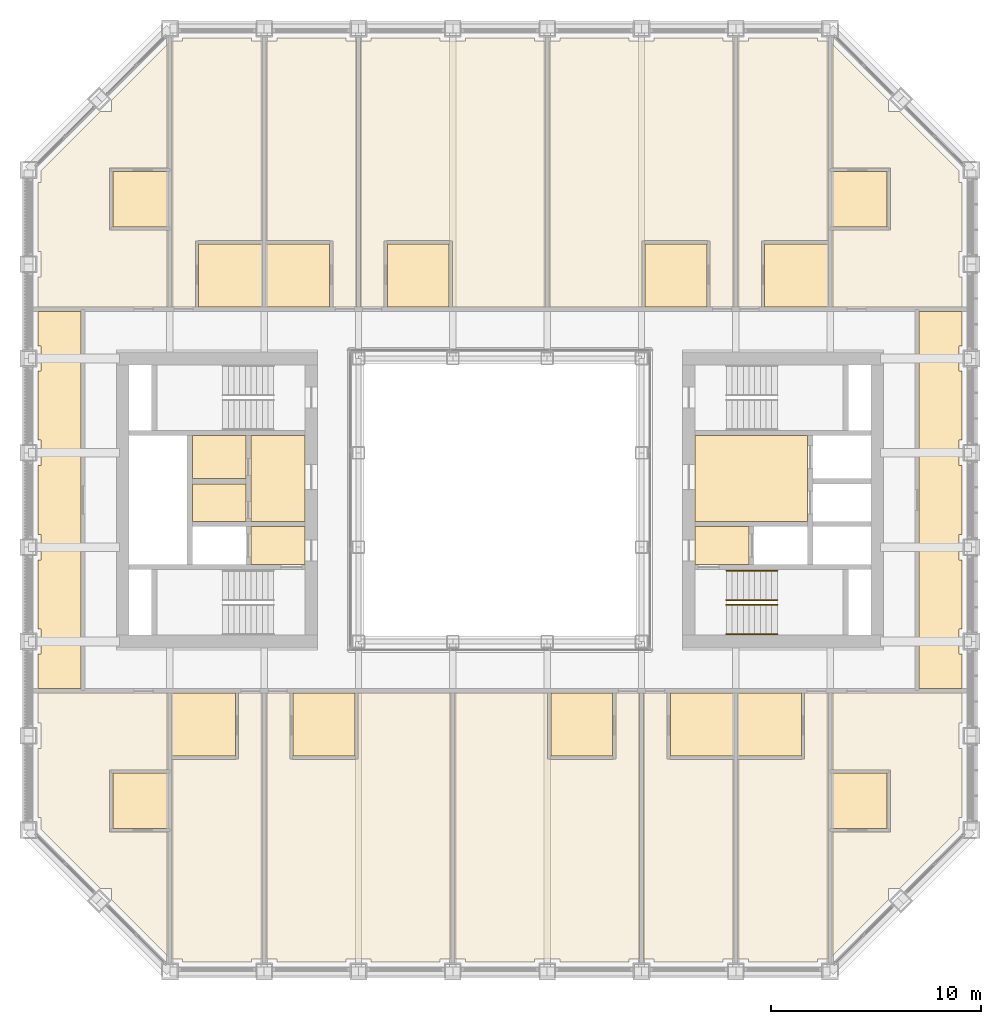
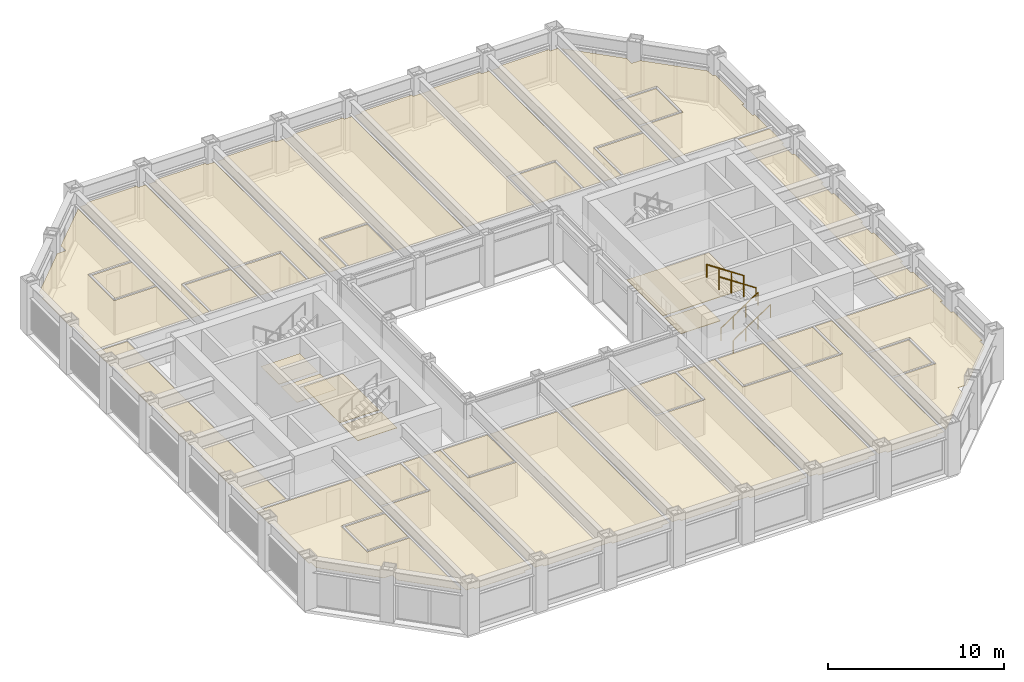
# One storey, part 16 of 17: 4 coverings, 4 railings.
"""IFC4 building model written with IfcOpenShell, lengths in metres."""

import ifcopenshell
import ifcopenshell.guid

model = None  # the IFC model being written
_history = None  # IfcOwnerHistory: only IFC2X3 demands one
_inside = {}  # id of a spatial element -> (the spatial element, [elements in it])
_under = {}  # id of a project, library or spatial element -> (it, [spatial elements below it])
_declared = {}  # id of a project -> (the project, [libraries it declares])
_typed = {}  # id of a type object -> (the type object, [elements of that type])
_made_of = {}  # id of a material, layer set ... -> (it, [elements and type objects made of it])


def new_model(schema):
    """Start an empty IFC model of exactly this schema.

    Asked for "IFC4X3", IfcOpenShell would pick the latest addendum, in which some entities
    have other attributes; the version numbers below select the first issue.
    IFC2X3 requires an IfcOwnerHistory on every rooted entity: one is made here for all.
    """
    global model, _history
    if schema == "IFC4X3":
        model = ifcopenshell.file(schema_version=(4, 3, 0, 0))
    else:
        model = ifcopenshell.file(schema=schema)
    _inside.clear()
    _under.clear()
    _declared.clear()
    _typed.clear()
    _made_of.clear()
    _history = None
    if model.schema == "IFC2X3":
        org = make("IfcOrganization", Name="unknown")
        user = make(
            "IfcPersonAndOrganization",
            ThePerson=make("IfcPerson", FamilyName="unknown"),
            TheOrganization=org,
        )
        app = make(
            "IfcApplication",
            ApplicationDeveloper=org,
            Version="unknown",
            ApplicationFullName="unknown",
            ApplicationIdentifier="unknown",
        )
        _history = make(
            "IfcOwnerHistory",
            OwningUser=user,
            OwningApplication=app,
            ChangeAction="ADDED",
            CreationDate=0,
        )
    return model


def make(cls, **values):
    """One entity of the class cls with the attributes given. An attribute that is None is left unset."""
    return model.create_entity(
        cls, **{name: value for name, value in values.items() if value is not None}
    )


def rooted(cls, **values):
    """An entity with a GlobalId (a new one), such as an element, a storey or a relation."""
    return make(cls, GlobalId=ifcopenshell.guid.new(), OwnerHistory=_history, **values)


def si_unit(unit_type, name, prefix=None):
    """IfcSIUnit, for example si_unit("LENGTHUNIT", "METRE", prefix="MILLI")."""
    return make("IfcSIUnit", UnitType=unit_type, Prefix=prefix, Name=name)


def assignment(units):
    """IfcUnitAssignment: the units of a project."""
    return None if units is None else make("IfcUnitAssignment", Units=units)


def point(xyz):
    """IfcCartesianPoint."""
    return None if xyz is None else make("IfcCartesianPoint", Coordinates=xyz)


def direction(xyz):
    """IfcDirection."""
    return None if xyz is None else make("IfcDirection", DirectionRatios=xyz)


def frame(location, z_axis=None, x_axis=None):
    """IfcAxis2Placement3D, a coordinate frame: its origin and axes. An axis left out is left unset."""
    return make(
        "IfcAxis2Placement3D",
        Location=point(location),
        Axis=direction(z_axis),
        RefDirection=direction(x_axis),
    )


def frame_2d(location, x_axis=None):
    """IfcAxis2Placement2D, a coordinate frame in the plane: its origin and x axis."""
    return make(
        "IfcAxis2Placement2D", Location=point(location), RefDirection=direction(x_axis)
    )


def origin():
    """The frame at (0, 0, 0) with its axes left unset."""
    return frame((0.0, 0.0, 0.0))


def origin_2d():
    """The frame at (0, 0) in the plane with its x axis left unset."""
    return frame_2d((0.0, 0.0))


def place(relative_to, where):
    """IfcLocalPlacement: puts the frame where relative to a parent placement (None: the world)."""
    return make(
        "IfcLocalPlacement", PlacementRelTo=relative_to, RelativePlacement=where
    )


def context(
    kind, dimensions, precision=None, world=None, true_north=None, identifier=None
):
    """IfcGeometricRepresentationContext, for example the 3D "Model" context."""
    return make(
        "IfcGeometricRepresentationContext",
        ContextIdentifier=identifier,
        ContextType=kind,
        CoordinateSpaceDimension=dimensions,
        Precision=precision,
        WorldCoordinateSystem=world,
        TrueNorth=true_north,
    )


def subcontext(parent, identifier, kind, view, scale=None):
    """IfcGeometricRepresentationSubContext, for example "Body" below "Model"."""
    return make(
        "IfcGeometricRepresentationSubContext",
        ContextIdentifier=identifier,
        ContextType=kind,
        ParentContext=parent,
        TargetScale=scale,
        TargetView=view,
    )


def project(units=None, contexts=None):
    """IfcProject with its units and contexts."""
    return rooted(
        "IfcProject",
        Name="project",
        RepresentationContexts=contexts,
        UnitsInContext=assignment(units),
    )


def spatial(cls, under=None, at=None, **own):
    """A site, building, storey or space (cls), placed at a placement, below another one or the project."""
    s = rooted(cls, ObjectPlacement=at, **own)
    if under is not None:
        _under.setdefault(under.id(), (under, []))[1].append(s)
    return s


def point_list(points):
    """IfcCartesianPointList2D or 3D."""
    cls = (
        "IfcCartesianPointList2D" if len(points[0]) == 2 else "IfcCartesianPointList3D"
    )
    return make(cls, CoordList=points)


def line(*indices):
    """IfcLineIndex: a straight run through numbered points of an indexed curve."""
    return model.create_entity("IfcLineIndex", indices)


def indexed_curve(points, segments=None, self_intersect=None):
    """IfcIndexedPolyCurve: lines and arcs through numbered points (the first is 1)."""
    return make(
        "IfcIndexedPolyCurve",
        Points=point_list(points),
        Segments=segments,
        SelfIntersect=self_intersect,
    )


def profile(cls, at=None, kind="AREA", **sizes):
    """A parametric profile (cls). Its sizes go by their IFC names, for example OverallWidth=200.0."""
    return make(cls, ProfileType=kind, Position=at, **sizes)


def circle(**sizes):
    """IfcCircleProfileDef."""
    return profile("IfcCircleProfileDef", **sizes)


def outline(outer, holes=None, kind="AREA"):
    """IfcArbitraryClosedProfileDef: a profile drawn as a closed curve; with holes, ...WithVoids."""
    if holes is None:
        return make("IfcArbitraryClosedProfileDef", ProfileType=kind, OuterCurve=outer)
    return make(
        "IfcArbitraryProfileDefWithVoids",
        ProfileType=kind,
        OuterCurve=outer,
        InnerCurves=holes,
    )


def extrude(swept, where, along, depth):
    """IfcExtrudedAreaSolid: the profile swept, set in the frame where, extruded along a direction by depth."""
    return make(
        "IfcExtrudedAreaSolid",
        SweptArea=swept,
        Position=where,
        ExtrudedDirection=direction(along),
        Depth=depth,
    )


def shape(context_of_items, identifier, shape_type, items):
    """IfcShapeRepresentation: the items that make up one representation, for example the "Body"."""
    return make(
        "IfcShapeRepresentation",
        ContextOfItems=context_of_items,
        RepresentationIdentifier=identifier,
        RepresentationType=shape_type,
        Items=items,
    )


def material(Name=None, Category=None):
    """IfcMaterial."""
    return make("IfcMaterial", Name=Name, Category=Category)


def layer(
    of_material, thickness, ventilated=None, Name=None, Category=None, Priority=None
):
    """IfcMaterialLayer: one layer of a wall or slab, of a material (None: an air gap)."""
    return make(
        "IfcMaterialLayer",
        Material=of_material,
        LayerThickness=thickness,
        IsVentilated=ventilated,
        Name=Name,
        Category=Category,
        Priority=Priority,
    )


def layer_set(layers, Name=None):
    """IfcMaterialLayerSet."""
    return make("IfcMaterialLayerSet", MaterialLayers=layers, LayerSetName=Name)


def made_of(thing, what):
    """Note that an element or type object is made of a material, layer set ...; save() writes the relation."""
    if what is not None:
        _made_of.setdefault(what.id(), (what, []))[1].append(thing)
    return thing


def type_object(cls, material=None, **own):
    """A type object (cls), such as IfcWallType, which elements share."""
    return made_of(rooted(cls, **own), material)


def element(
    cls,
    number,
    at=None,
    inside=None,
    cuts=None,
    type_object=None,
    material=None,
    context=None,
    identifier="Body",
    shape_type=None,
    held_by="IfcProductDefinitionShape",
    body=None,
    shapes=None,
    **own,
):
    """One element of the class cls, such as IfcWall. Its Tag is "e" and its number.

    at: its placement. inside: the storey or other place that contains it. cuts: it is an
    opening in that element (IfcRelVoidsElement). A single representation is given by context,
    identifier, shape_type and body (its items); several are given by shapes. held_by: the class
    of the entity that holds the representations. save() writes the other relations.
    """
    e = rooted(cls, Tag="e%d" % number, ObjectPlacement=at, **own)
    if body is not None:
        shapes = [shape(context, identifier, shape_type, body)]
    if shapes is not None:
        e.Representation = make(held_by, Representations=shapes)
    if inside is not None:
        _inside.setdefault(inside.id(), (inside, []))[1].append(e)
    if cuts is not None:
        rooted(
            "IfcRelVoidsElement", RelatingBuildingElement=cuts, RelatedOpeningElement=e
        )
    if type_object is not None:
        _typed.setdefault(type_object.id(), (type_object, []))[1].append(e)
    return made_of(e, material)


def aggregate(whole, parts):
    """IfcRelAggregates: a whole, such as a stair, and the parts it consists of."""
    return rooted("IfcRelAggregates", RelatingObject=whole, RelatedObjects=parts)


def save(model, path):
    """Write the relations noted so far, then the file.

    IfcRelAggregates (storeys below a building ...), IfcRelContainedInSpatialStructure (elements
    in a storey), IfcRelDefinesByType, IfcRelAssociatesMaterial and IfcRelDeclares: one each for
    every whole, place, type object, material and project.
    """
    for whole, parts in _under.values():
        aggregate(whole, parts)
    for where, things in _inside.values():
        rooted(
            "IfcRelContainedInSpatialStructure",
            RelatedElements=things,
            RelatingStructure=where,
        )
    for kind, things in _typed.values():
        rooted("IfcRelDefinesByType", RelatedObjects=things, RelatingType=kind)
    for what, things in _made_of.values():
        rooted("IfcRelAssociatesMaterial", RelatedObjects=things, RelatingMaterial=what)
    for by, libraries in _declared.values():
        rooted("IfcRelDeclares", RelatingContext=by, RelatedDefinitions=libraries)
    model.write(path)


model = new_model("IFC4")

# Units and contexts
model_context = context("Model", 3, precision=1e-05, world=origin(), true_north=direction((0.0, 1.0)))
body_context = subcontext(model_context, "Body", "Model", "MODEL_VIEW")
ifc_project = project(units=[si_unit("LENGTHUNIT", "METRE"), si_unit("AREAUNIT", "SQUARE_METRE"), si_unit("VOLUMEUNIT", "CUBIC_METRE"), si_unit("PLANEANGLEUNIT", "RADIAN"), si_unit("MASSUNIT", "GRAM", prefix="KILO")], contexts=[model_context])

# Site, building, storey
site_placement = place(None, origin())
site = spatial("IfcSite", under=ifc_project, at=site_placement, CompositionType="ELEMENT")
building_placement = place(site_placement, origin())
building = spatial("IfcBuilding", under=site, at=building_placement, Name="Msasa Ring Tower", CompositionType="ELEMENT")
storey_placement = place(building_placement, frame((0.0, 0.0, 132.800048828125)))
storey = spatial("IfcBuildingStorey", under=building, at=storey_placement, Name="L34", CompositionType="ELEMENT", Elevation=132.800048828125)

# Coverings
ifc_material_1 = material(Name="Gypsum plasterboard on a steel suspension grid", Category="steel")
ifc_layer_1 = layer(ifc_material_1, 0.014892578125)
ifc_layer_set_1 = layer_set([ifc_layer_1], Name="C1 SUSPENDED PLASTERBOARD CEILING 15")
covering_type_1 = type_object("IfcCoveringType", Name="C1 SUSPENDED PLASTERBOARD CEILING 15", PredefinedType="CEILING", material=ifc_layer_set_1)
covering_1_placement = place(storey_placement, frame((0.0, 0.0, 2.407958984375)))
element("IfcCovering", 1, at=covering_1_placement, inside=storey, type_object=covering_type_1, Name="Suspended Plasterboard Ceiling 15 L34", PredefinedType="CEILING", context=body_context, shape_type="SweptSolid", body=[
    extrude(outline(indexed_curve([(-15.8505859375, -21.762451171875), (-18.5244140625, -19.08837890625), (-18.5244140625, -18.5244140625), (-19.08837890625, -18.5244140625), (-21.8994140625, -15.71337890625), (-21.8994140625, -15.1494140625), (-22.049560546875, -15.1494140625), (-22.049560546875, -11.8505859375), (-21.8994140625, -11.8505859375), (-21.8994140625, -10.6494140625), (-22.049560546875, -10.6494140625), (-22.049560546875, -9.200439453125), (-15.8505859375, -9.200439453125), (-15.8505859375, -12.869384765625), (-18.630615234375, -12.869384765625), (-18.630615234375, -15.83056640625), (-15.8505859375, -15.83056640625)], segments=[line(1, 2, 3, 4, 5, 6, 7, 8, 9, 10, 11, 12, 13, 14, 15, 16, 17, 1)], self_intersect=False)), origin(), (0.0, 0.0, 1.0), 0.014892578125),
    extrude(outline(indexed_curve([(-18.630615234375, 12.869384765625), (-15.8505859375, 12.869384765625), (-15.8505859375, 9.200439453125), (-22.049560546875, 9.200439453125), (-22.049560546875, 10.6494140625), (-21.8994140625, 10.6494140625), (-21.8994140625, 11.8505859375), (-22.049560546875, 11.8505859375), (-22.049560546875, 15.1494140625), (-21.8994140625, 15.1494140625), (-21.8994140625, 15.71337890625), (-19.08837890625, 18.5244140625), (-18.5244140625, 18.5244140625), (-18.5244140625, 19.08837890625), (-15.8505859375, 21.762451171875), (-15.8505859375, 15.83056640625), (-18.630615234375, 15.83056640625)], segments=[line(1, 2, 3, 4, 5, 6, 7, 8, 9, 10, 11, 12, 13, 14, 15, 16, 17, 1)], self_intersect=False)), origin(), (0.0, 0.0, 1.0), 0.014892578125),
    extrude(outline(indexed_curve([(-12.60009765625, -12.3505859375), (-12.474609375, -12.35009765625), (-12.474609375, -9.200439453125), (-11.3505859375, -9.200439453125), (-11.3505859375, -21.8994140625), (-11.8505859375, -21.8994140625), (-11.8505859375, -22.049560546875), (-15.1494140625, -22.049560546875), (-15.1494140625, -21.8994140625), (-15.6494140625, -21.8994140625), (-15.6494140625, -12.37548828125), (-12.60009765625, -12.37548828125)], segments=[line(1, 2, 3, 4, 5, 6, 7, 8, 9, 10, 11, 12, 1)], self_intersect=False)), origin(), (0.0, 0.0, 1.0), 0.014892578125),
    extrude(outline(indexed_curve([(-14.39990234375, 12.3505859375), (-14.525390625, 12.35009765625), (-14.525390625, 9.200439453125), (-15.6494140625, 9.200439453125), (-15.6494140625, 21.8994140625), (-15.1494140625, 21.8994140625), (-15.1494140625, 22.049560546875), (-11.8505859375, 22.049560546875), (-11.8505859375, 21.8994140625), (-11.3505859375, 21.8994140625), (-11.3505859375, 12.37548828125), (-14.39990234375, 12.37548828125)], segments=[line(1, 2, 3, 4, 5, 6, 7, 8, 9, 10, 11, 12, 1)], self_intersect=False)), origin(), (0.0, 0.0, 1.0), 0.014892578125),
    extrude(outline(indexed_curve([(-9.89990234375, -12.3505859375), (-9.89990234375, -12.37548828125), (-6.89990234375, -12.37548828125), (-6.89990234375, -12.3505859375), (-6.7744140625, -12.35009765625), (-6.7744140625, -9.200439453125), (-2.3505859375, -9.200439453125), (-2.3505859375, -21.8994140625), (-2.8505859375, -21.8994140625), (-2.8505859375, -22.049560546875), (-6.1494140625, -22.049560546875), (-6.1494140625, -21.8994140625), (-7.3505859375, -21.8994140625), (-7.3505859375, -22.049560546875), (-10.6494140625, -22.049560546875), (-10.6494140625, -21.8994140625), (-11.1494140625, -21.8994140625), (-11.1494140625, -9.200439453125), (-10.025390625, -9.200439453125), (-10.025390625, -12.35009765625)], segments=[line(1, 2, 3, 4, 5, 6, 7, 8, 9, 10, 11, 12, 13, 14, 15, 16, 17, 18, 19, 20, 1)], self_intersect=False)), origin(), (0.0, 0.0, 1.0), 0.014892578125),
    extrude(outline(indexed_curve([(-7.3505859375, 22.049560546875), (-7.3505859375, 21.8994140625), (-6.8505859375, 21.8994140625), (-6.8505859375, 9.200439453125), (-7.974609375, 9.200439453125), (-7.974609375, 12.35009765625), (-8.10009765625, 12.3505859375), (-8.10009765625, 12.37548828125), (-11.1494140625, 12.37548828125), (-11.1494140625, 21.8994140625), (-10.6494140625, 21.8994140625), (-10.6494140625, 22.049560546875)], segments=[line(1, 2, 3, 4, 5, 6, 7, 8, 9, 10, 11, 12, 1)], self_intersect=False)), origin(), (0.0, 0.0, 1.0), 0.014892578125),
    extrude(outline(indexed_curve([(-2.39990234375, 12.3505859375), (-2.39990234375, 12.37548828125), (-5.39990234375, 12.37548828125), (-5.39990234375, 12.3505859375), (-5.525390625, 12.35009765625), (-5.525390625, 9.200439453125), (-6.6494140625, 9.200439453125), (-6.6494140625, 21.8994140625), (-6.1494140625, 21.8994140625), (-6.1494140625, 22.049560546875), (-2.8505859375, 22.049560546875), (-2.8505859375, 21.8994140625), (-1.6494140625, 21.8994140625), (-1.6494140625, 22.049560546875), (1.6494140625, 22.049560546875), (1.6494140625, 21.8994140625), (2.1494140625, 21.8994140625), (2.1494140625, 9.200439453125), (-2.2744140625, 9.200439453125), (-2.2744140625, 12.35009765625)], segments=[line(1, 2, 3, 4, 5, 6, 7, 8, 9, 10, 11, 12, 13, 14, 15, 16, 17, 18, 19, 20, 1)], self_intersect=False)), origin(), (0.0, 0.0, 1.0), 0.014892578125),
    extrude(outline(indexed_curve([(2.2744140625, -12.35009765625), (2.39990234375, -12.3505859375), (2.39990234375, -12.37548828125), (5.39990234375, -12.37548828125), (5.39990234375, -12.3505859375), (5.525390625, -12.35009765625), (5.525390625, -9.200439453125), (6.6494140625, -9.200439453125), (6.6494140625, -21.8994140625), (6.1494140625, -21.8994140625), (6.1494140625, -22.049560546875), (2.8505859375, -22.049560546875), (2.8505859375, -21.8994140625), (1.6494140625, -21.8994140625), (1.6494140625, -22.049560546875), (-1.6494140625, -22.049560546875), (-1.6494140625, -21.8994140625), (-2.1494140625, -21.8994140625), (-2.1494140625, -9.200439453125), (2.2744140625, -9.200439453125)], segments=[line(1, 2, 3, 4, 5, 6, 7, 8, 9, 10, 11, 12, 13, 14, 15, 16, 17, 18, 19, 20, 1)], self_intersect=False)), origin(), (0.0, 0.0, 1.0), 0.014892578125),
    extrude(outline(indexed_curve([(9.89990234375, 12.3505859375), (9.89990234375, 12.37548828125), (6.89990234375, 12.37548828125), (6.89990234375, 12.3505859375), (6.7744140625, 12.35009765625), (6.7744140625, 9.200439453125), (2.3505859375, 9.200439453125), (2.3505859375, 21.8994140625), (2.8505859375, 21.8994140625), (2.8505859375, 22.049560546875), (6.1494140625, 22.049560546875), (6.1494140625, 21.8994140625), (7.3505859375, 21.8994140625), (7.3505859375, 22.049560546875), (10.6494140625, 22.049560546875), (10.6494140625, 21.8994140625), (11.1494140625, 21.8994140625), (11.1494140625, 9.200439453125), (10.025390625, 9.200439453125), (10.025390625, 12.35009765625)], segments=[line(1, 2, 3, 4, 5, 6, 7, 8, 9, 10, 11, 12, 13, 14, 15, 16, 17, 18, 19, 20, 1)], self_intersect=False)), origin(), (0.0, 0.0, 1.0), 0.014892578125),
    extrude(outline(indexed_curve([(7.3505859375, -22.049560546875), (7.3505859375, -21.8994140625), (6.8505859375, -21.8994140625), (6.8505859375, -9.200439453125), (7.974609375, -9.200439453125), (7.974609375, -12.35009765625), (8.10009765625, -12.3505859375), (8.10009765625, -12.37548828125), (11.1494140625, -12.37548828125), (11.1494140625, -21.8994140625), (10.6494140625, -21.8994140625), (10.6494140625, -22.049560546875)], segments=[line(1, 2, 3, 4, 5, 6, 7, 8, 9, 10, 11, 12, 1)], self_intersect=False)), origin(), (0.0, 0.0, 1.0), 0.014892578125),
    extrude(outline(indexed_curve([(14.39990234375, -12.3505859375), (14.525390625, -12.35009765625), (14.525390625, -9.200439453125), (15.6494140625, -9.200439453125), (15.6494140625, -21.8994140625), (15.1494140625, -21.8994140625), (15.1494140625, -22.049560546875), (11.8505859375, -22.049560546875), (11.8505859375, -21.8994140625), (11.3505859375, -21.8994140625), (11.3505859375, -12.37548828125), (14.39990234375, -12.37548828125)], segments=[line(1, 2, 3, 4, 5, 6, 7, 8, 9, 10, 11, 12, 1)], self_intersect=False)), origin(), (0.0, 0.0, 1.0), 0.014892578125),
    extrude(outline(indexed_curve([(12.60009765625, 12.3505859375), (12.474609375, 12.35009765625), (12.474609375, 9.200439453125), (11.3505859375, 9.200439453125), (11.3505859375, 21.8994140625), (11.8505859375, 21.8994140625), (11.8505859375, 22.049560546875), (15.1494140625, 22.049560546875), (15.1494140625, 21.8994140625), (15.6494140625, 21.8994140625), (15.6494140625, 12.37548828125), (12.60009765625, 12.37548828125)], segments=[line(1, 2, 3, 4, 5, 6, 7, 8, 9, 10, 11, 12, 1)], self_intersect=False)), origin(), (0.0, 0.0, 1.0), 0.014892578125),
    extrude(outline(indexed_curve([(18.630615234375, -12.869384765625), (15.8505859375, -12.869384765625), (15.8505859375, -9.200439453125), (22.049560546875, -9.200439453125), (22.049560546875, -10.6494140625), (21.8994140625, -10.6494140625), (21.8994140625, -11.8505859375), (22.049560546875, -11.8505859375), (22.049560546875, -15.1494140625), (21.8994140625, -15.1494140625), (21.8994140625, -15.71337890625), (19.08837890625, -18.5244140625), (18.5244140625, -18.5244140625), (18.5244140625, -19.08837890625), (15.8505859375, -21.762451171875), (15.8505859375, -15.83056640625), (18.630615234375, -15.83056640625)], segments=[line(1, 2, 3, 4, 5, 6, 7, 8, 9, 10, 11, 12, 13, 14, 15, 16, 17, 1)], self_intersect=False)), origin(), (0.0, 0.0, 1.0), 0.014892578125),
    extrude(outline(indexed_curve([(15.8505859375, 21.762451171875), (18.5244140625, 19.08837890625), (18.5244140625, 18.5244140625), (19.08837890625, 18.5244140625), (21.8994140625, 15.71337890625), (21.8994140625, 15.1494140625), (22.049560546875, 15.1494140625), (22.049560546875, 11.8505859375), (21.8994140625, 11.8505859375), (21.8994140625, 10.6494140625), (22.049560546875, 10.6494140625), (22.049560546875, 9.200439453125), (15.8505859375, 9.200439453125), (15.8505859375, 12.869384765625), (18.630615234375, 12.869384765625), (18.630615234375, 15.83056640625), (15.8505859375, 15.83056640625)], segments=[line(1, 2, 3, 4, 5, 6, 7, 8, 9, 10, 11, 12, 13, 14, 15, 16, 17, 1)], self_intersect=False)), origin(), (0.0, 0.0, 1.0), 0.014892578125),
])
ifc_material_2 = material(Name="Moisture-resistant gypsum plasterboard on a steel suspension grid", Category="steel")
ifc_layer_2 = layer(ifc_material_2, 0.014892578125)
ifc_layer_set_2 = layer_set([ifc_layer_2], Name="C2 MOISTURE-RESISTANT PLASTERBOARD CEILING 15")
covering_type_2 = type_object("IfcCoveringType", Name="C2 MOISTURE-RESISTANT PLASTERBOARD CEILING 15", PredefinedType="CEILING", material=ifc_layer_set_2)
covering_2_placement = place(storey_placement, frame((0.0, 0.0, 2.39990234375)))
element("IfcCovering", 2, at=covering_2_placement, inside=storey, type_object=covering_type_2, Name="Moisture-Resistant Plasterboard Ceiling 15 L34", PredefinedType="CEILING", context=body_context, shape_type="SweptSolid", body=[
    extrude(outline(indexed_curve([(-18.469482421875, -15.66943359375), (-18.469482421875, -13.030517578125), (-15.8505859375, -13.030517578125), (-15.8505859375, -15.66943359375)], segments=[line(1, 2, 3, 4, 1)], self_intersect=False)), origin(), (0.0, 0.0, 1.0), 0.01513671875),
    extrude(outline(indexed_curve([(-18.469482421875, 15.66943359375), (-15.8505859375, 15.66943359375), (-15.8505859375, 13.030517578125), (-18.469482421875, 13.030517578125)], segments=[line(1, 2, 3, 4, 1)], self_intersect=False)), origin(), (0.0, 0.0, 1.0), 0.01513671875),
    extrude(outline(indexed_curve([(-15.6494140625, -9.200439453125), (-12.62548828125, -9.200439453125), (-12.62548828125, -12.224609375), (-15.6494140625, -12.224609375)], segments=[line(1, 2, 3, 4, 1)], self_intersect=False)), origin(), (0.0, 0.0, 1.0), 0.01513671875),
    extrude(outline(indexed_curve([(-14.674560546875, 0.7744140625), (-12.12548828125, 0.7744140625), (-12.12548828125, -1.0244140625), (-14.674560546875, -1.0244140625)], segments=[line(1, 2, 3, 4, 1)], self_intersect=False)), origin(), (0.0, 0.0, 1.0), 0.01513671875),
    extrude(outline(indexed_curve([(-11.3505859375, 9.200439453125), (-14.37451171875, 9.200439453125), (-14.37451171875, 12.224609375), (-11.3505859375, 12.224609375)], segments=[line(1, 2, 3, 4, 1)], self_intersect=False)), origin(), (0.0, 0.0, 1.0), 0.01513671875),
    extrude(outline(indexed_curve([(-11.1494140625, 12.224609375), (-8.12548828125, 12.224609375), (-8.12548828125, 9.200439453125), (-11.1494140625, 9.200439453125)], segments=[line(1, 2, 3, 4, 1)], self_intersect=False)), origin(), (0.0, 0.0, 1.0), 0.01513671875),
    extrude(outline(indexed_curve([(-6.925537109375, -9.200439453125), (-6.925537109375, -12.224609375), (-9.87451171875, -12.224609375), (-9.87451171875, -9.200439453125)], segments=[line(1, 2, 3, 4, 1)], self_intersect=False)), origin(), (0.0, 0.0, 1.0), 0.01513671875),
    extrude(outline(indexed_curve([(-5.37451171875, 9.200439453125), (-5.37451171875, 12.224609375), (-2.425537109375, 12.224609375), (-2.425537109375, 9.200439453125)], segments=[line(1, 2, 3, 4, 1)], self_intersect=False)), origin(), (0.0, 0.0, 1.0), 0.01513671875),
    extrude(outline(indexed_curve([(5.37451171875, -9.200439453125), (5.37451171875, -12.224609375), (2.425537109375, -12.224609375), (2.425537109375, -9.200439453125)], segments=[line(1, 2, 3, 4, 1)], self_intersect=False)), origin(), (0.0, 0.0, 1.0), 0.01513671875),
    extrude(outline(indexed_curve([(6.925537109375, 9.200439453125), (6.925537109375, 12.224609375), (9.87451171875, 12.224609375), (9.87451171875, 9.200439453125)], segments=[line(1, 2, 3, 4, 1)], self_intersect=False)), origin(), (0.0, 0.0, 1.0), 0.01513671875),
    extrude(outline(indexed_curve([(11.1494140625, -9.200439453125), (11.1494140625, -12.224609375), (8.12548828125, -12.224609375), (8.12548828125, -9.200439453125)], segments=[line(1, 2, 3, 4, 1)], self_intersect=False)), origin(), (0.0, 0.0, 1.0), 0.01513671875),
    extrude(outline(indexed_curve([(11.3505859375, -9.200439453125), (14.37451171875, -9.200439453125), (14.37451171875, -12.224609375), (11.3505859375, -12.224609375)], segments=[line(1, 2, 3, 4, 1)], self_intersect=False)), origin(), (0.0, 0.0, 1.0), 0.01513671875),
    extrude(outline(indexed_curve([(15.6494140625, 9.200439453125), (12.62548828125, 9.200439453125), (12.62548828125, 12.224609375), (15.6494140625, 12.224609375)], segments=[line(1, 2, 3, 4, 1)], self_intersect=False)), origin(), (0.0, 0.0, 1.0), 0.01513671875),
    extrude(outline(indexed_curve([(15.8505859375, -13.030517578125), (18.469482421875, -13.030517578125), (18.469482421875, -15.66943359375), (15.8505859375, -15.66943359375)], segments=[line(1, 2, 3, 4, 1)], self_intersect=False)), origin(), (0.0, 0.0, 1.0), 0.01513671875),
    extrude(outline(indexed_curve([(15.8505859375, 15.66943359375), (18.469482421875, 15.66943359375), (18.469482421875, 13.030517578125), (15.8505859375, 13.030517578125)], segments=[line(1, 2, 3, 4, 1)], self_intersect=False)), origin(), (0.0, 0.0, 1.0), 0.01513671875),
])
ifc_material_3 = material(Name="Mineral fibre ceiling tiles on an exposed steel grid", Category="steel")
ifc_layer_3 = layer(ifc_material_3, 0.02001953125)
ifc_layer_set_3 = layer_set([ifc_layer_3], Name="C3 ACOUSTIC MINERAL FIBRE TILE CEILING 20")
covering_type_3 = type_object("IfcCoveringType", Name="C3 ACOUSTIC MINERAL FIBRE TILE CEILING 20", PredefinedType="CEILING", material=ifc_layer_set_3)
covering_3_placement = place(storey_placement, frame((0.0, 0.0, 2.408935546875)))
element("IfcCovering", 3, at=covering_3_placement, inside=storey, type_object=covering_type_3, Name="Acoustic Mineral Fibre Tile Ceiling 20 L34", PredefinedType="CEILING", context=body_context, shape_type="SweptSolid", body=[
    extrude(outline(indexed_curve([(-22.049560546875, -8.99951171875), (-22.049560546875, -7.3505859375), (-21.8994140625, -7.3505859375), (-21.8994140625, -6.1494140625), (-22.049560546875, -6.1494140625), (-22.049560546875, -2.8505859375), (-21.8994140625, -2.8505859375), (-21.8994140625, -1.6494140625), (-22.049560546875, -1.6494140625), (-22.049560546875, 1.6494140625), (-21.8994140625, 1.6494140625), (-21.8994140625, 2.8505859375), (-22.049560546875, 2.8505859375), (-22.049560546875, 6.1494140625), (-21.8994140625, 6.1494140625), (-21.8994140625, 7.3505859375), (-22.049560546875, 7.3505859375), (-22.049560546875, 8.99951171875), (-20.00048828125, 8.99951171875), (-20.00048828125, -8.99951171875)], segments=[line(1, 2, 3, 4, 5, 6, 7, 8, 9, 10, 11, 12, 13, 14, 15, 16, 17, 18, 19, 20, 1)], self_intersect=False)), origin(), (0.0, 0.0, 1.0), 0.02001953125),
    extrude(outline(indexed_curve([(-12.12548828125, 1.025390625), (-14.674560546875, 1.025390625), (-14.674560546875, 3.074462890625), (-12.12548828125, 3.074462890625)], segments=[line(1, 2, 3, 4, 1)], self_intersect=False)), origin(), (0.0, 0.0, 1.0), 0.02001953125),
    extrude(outline(indexed_curve([(22.049560546875, 8.99951171875), (22.049560546875, 7.3505859375), (21.8994140625, 7.3505859375), (21.8994140625, 6.1494140625), (22.049560546875, 6.1494140625), (22.049560546875, 2.8505859375), (21.8994140625, 2.8505859375), (21.8994140625, 1.6494140625), (22.049560546875, 1.6494140625), (22.049560546875, -1.6494140625), (21.8994140625, -1.6494140625), (21.8994140625, -2.8505859375), (22.049560546875, -2.8505859375), (22.049560546875, -6.1494140625), (21.8994140625, -6.1494140625), (21.8994140625, -7.3505859375), (22.049560546875, -7.3505859375), (22.049560546875, -8.99951171875), (20.00048828125, -8.99951171875), (20.00048828125, 8.99951171875)], segments=[line(1, 2, 3, 4, 5, 6, 7, 8, 9, 10, 11, 12, 13, 14, 15, 16, 17, 18, 19, 20, 1)], self_intersect=False)), origin(), (0.0, 0.0, 1.0), 0.02001953125),
])
ifc_material_4 = material(Name="Honed granite tiles on a mortar bed", Category="masonry")
ifc_layer_4 = layer(ifc_material_4, 0.030029296875)
ifc_layer_set_4 = layer_set([ifc_layer_4], Name="F1 HONED GRANITE ON BEDDING 30")
covering_type_4 = type_object("IfcCoveringType", Name="F1 HONED GRANITE ON BEDDING 30", PredefinedType="FLOORING", material=ifc_layer_set_4)
covering_4_placement = place(storey_placement, origin())
element("IfcCovering", 4, at=covering_4_placement, inside=storey, type_object=covering_type_4, Name="Honed Granite On Bedding 30 L34", PredefinedType="FLOORING", context=body_context, shape_type="SweptSolid", body=[
    extrude(outline(indexed_curve([(-11.87451171875, -3.074462890625), (-11.87451171875, -1.275390625), (-9.300537109375, -1.275390625), (-9.300537109375, -3.074462890625)], segments=[line(1, 2, 3, 4, 1)], self_intersect=False)), origin(), (0.0, 0.0, 1.0), 0.030029296875),
    extrude(outline(indexed_curve([(-11.87451171875, -1.0244140625), (-11.87451171875, 3.074462890625), (-9.300537109375, 3.074462890625), (-9.300537109375, -1.0244140625)], segments=[line(1, 2, 3, 4, 1)], self_intersect=False)), origin(), (0.0, 0.0, 1.0), 0.030029296875),
    extrude(outline(indexed_curve([(9.300537109375, -3.074462890625), (9.300537109375, -1.275390625), (11.87451171875, -1.275390625), (11.87451171875, -3.074462890625)], segments=[line(1, 2, 3, 4, 1)], self_intersect=False)), origin(), (0.0, 0.0, 1.0), 0.030029296875),
    extrude(outline(indexed_curve([(9.300537109375, -1.0244140625), (9.300537109375, 3.074462890625), (14.674560546875, 3.074462890625), (14.674560546875, -1.0244140625)], segments=[line(1, 2, 3, 4, 1)], self_intersect=False)), origin(), (0.0, 0.0, 1.0), 0.030029296875),
])

# Railings
ifc_material_5 = material(Name="Stainless steel", Category="steel")
railing_type = type_object("IfcRailingType", Name="HR1 HANDRAIL 900", PredefinedType="HANDRAIL", material=ifc_material_5)
for number, where, name in (
    (5, (10.800048828125, -6.39990234375, 0.179931640625), "Handrail stair SEA L34 1"),
    (6, (10.800048828125, -5.0, 0.179931640625), "Handrail stair SEA L34 2"),
):
    element("IfcRailing", number, at=place(storey_placement, frame(where)), inside=storey, type_object=railing_type, Name=name, PredefinedType="HANDRAIL", context=body_context, shape_type="SweptSolid", body=[
        extrude(circle(Radius=0.02392578125, at=origin_2d()), frame((0.0, 0.0, 0.8759765625), z_axis=(0.832024571796, 0.0, 0.554738778101), x_axis=(0.0, 1.0, 0.0)), (0.0, 0.0, 1.0), 2.92041015625),
        extrude(circle(Radius=0.02099609375, at=origin_2d()), origin(), (0.0, 0.0, 1.0), 0.851806640625),
        extrude(circle(Radius=0.02099609375, at=origin_2d()), frame((0.81005859375, 0.0, 0.5400390625)), (0.0, 0.0, 1.0), 0.851806640625),
        extrude(circle(Radius=0.02099609375, at=origin_2d()), frame((1.619873046875, 0.0, 1.080078125)), (0.0, 0.0, 1.0), 0.851806640625),
        extrude(circle(Radius=0.02099609375, at=origin_2d()), frame((2.429931640625, 0.0, 1.6201171875)), (0.0, 0.0, 1.0), 0.851806640625),
    ])
for number, where, name in (
    (7, (13.22998046875, -4.77490234375, 1.97998046875), "Handrail stair SEA L34 3"),
    (8, (13.22998046875, -3.375, 1.97998046875), "Handrail stair SEA L34 4"),
):
    element("IfcRailing", number, at=place(storey_placement, frame(where)), inside=storey, type_object=railing_type, Name=name, PredefinedType="HANDRAIL", context=body_context, shape_type="SweptSolid", body=[
        extrude(circle(Radius=0.02392578125, at=origin_2d()), frame((0.0, 0.0, 0.8759765625), z_axis=(-0.832063155534, 0.0, 0.554680903946), x_axis=(0.0, -1.0, 0.0)), (0.0, 0.0, 1.0), 2.92041015625),
        extrude(circle(Radius=0.02099609375, at=origin_2d()), origin(), (0.0, 0.0, 1.0), 0.851806640625),
        extrude(circle(Radius=0.02099609375, at=origin_2d()), frame((-0.81005859375, 0.0, 0.5400390625)), (0.0, 0.0, 1.0), 0.851806640625),
        extrude(circle(Radius=0.02099609375, at=origin_2d()), frame((-1.619873046875, 0.0, 1.079833984375)), (0.0, 0.0, 1.0), 0.851806640625),
        extrude(circle(Radius=0.02099609375, at=origin_2d()), frame((-2.429931640625, 0.0, 1.619873046875)), (0.0, 0.0, 1.0), 0.851806640625),
    ])

save(model, "model.ifc")
